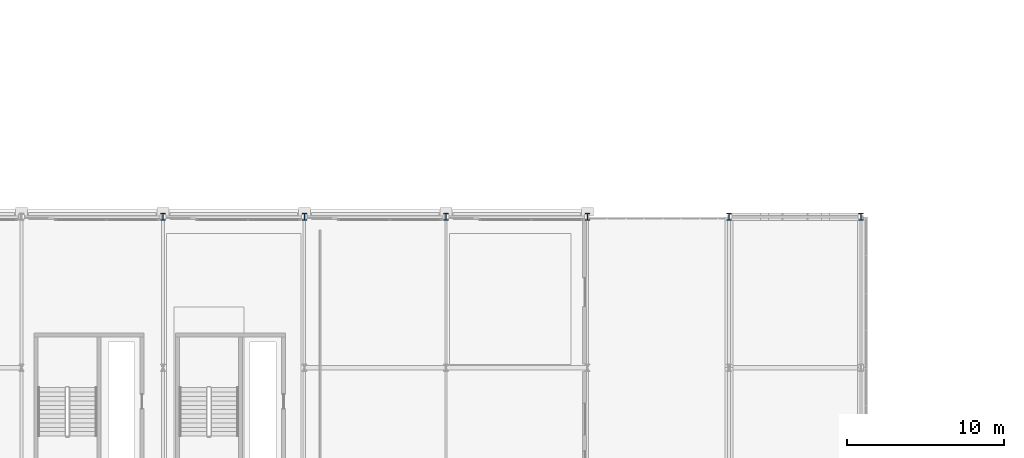
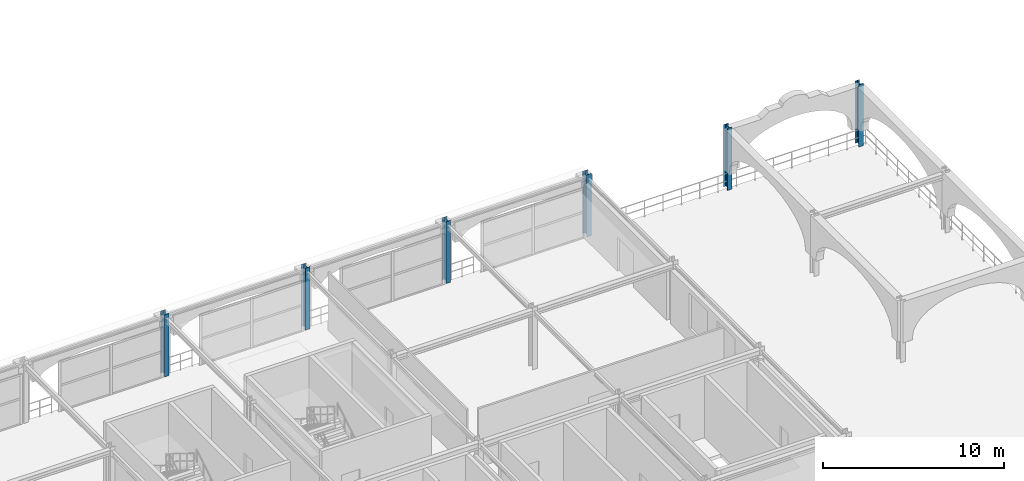
# One storey, part 11 of 81: 6 columns.
"""IFC4 building model written with IfcOpenShell, lengths in metres."""

from ifc_helpers import new_model, si_unit, direction, frame, origin, origin_2d, place, context, subcontext, project, spatial, i_section, extrude, material, material_profile, profile_set, type_object, element, save


model = new_model("IFC4")

# Units and contexts
model_context = context("Model", 3, precision=1e-05, world=origin(), true_north=direction((0.0, 1.0)))
body_context = subcontext(model_context, "Body", "Model", "MODEL_VIEW")
ifc_project = project(units=[si_unit("LENGTHUNIT", "METRE"), si_unit("AREAUNIT", "SQUARE_METRE"), si_unit("VOLUMEUNIT", "CUBIC_METRE"), si_unit("PLANEANGLEUNIT", "RADIAN"), si_unit("MASSUNIT", "GRAM", prefix="KILO")], contexts=[model_context])

# Site, building, storey
site_placement = place(None, origin())
site = spatial("IfcSite", under=ifc_project, at=site_placement, CompositionType="ELEMENT")
building_placement = place(site_placement, origin())
building = spatial("IfcBuilding", under=site, at=building_placement, Name="Myrtia Square Station", CompositionType="ELEMENT")
storey_placement = place(building_placement, frame((0.0, 0.0, 10.800048828125)))
storey = spatial("IfcBuildingStorey", under=building, at=storey_placement, Name="L02", CompositionType="ELEMENT", Elevation=10.800048828125)

# Columns
ifc_material = material(Name="Steel S355", Category="steel")
ifc_material_profile = material_profile(ifc_material, i_section(OverallWidth=0.300048828125, OverallDepth=0.43994140625, WebThickness=0.011474609375, FlangeThickness=0.02099609375, FilletRadius=0.027099609375, at=origin_2d()), Name="HEA 450")
ifc_profile_set = profile_set([ifc_material_profile], Name="Steel S355")
column_type = type_object("IfcColumnType", Name="COL-HEA450", PredefinedType="COLUMN", material=ifc_profile_set)
for number, where, z_axis, x_axis, name in (
    (1, (135.0, 38.39990234375, 0.0), (0.0, 0.0, 1.0), (1.0, 0.0, 0.0), "Column L02-0632"),
    (2, (144.0, 38.39990234375, 0.0), (0.0, 0.0, 1.0), (1.0, 0.0, 0.0), "Column L02-0657"),
    (3, (153.0, 38.39990234375, 0.0), (0.0, 0.0, 1.0), (1.0, 0.0, 0.0), "Column L02-0678"),
    (4, (162.0, 38.39990234375, 0.0), (0.0, 0.0, 1.0), (1.0, 0.0, 0.0), "Column L02-0698"),
    (5, (171.0, 38.39990234375, 0.0), (0.0, 0.0, 1.0), (1.0, 0.0, 0.0), "Column L02-0716"),
    (6, (179.39990234375, 38.39990234375, 0.0), (0.0, 0.0, 1.0), (1.0, 0.0, 0.0), "Column L02-0734"),
):
    element("IfcColumn", number, at=place(storey_placement, frame(where, z_axis=z_axis, x_axis=x_axis)), inside=storey, type_object=column_type, Name=name, PredefinedType="COLUMN", context=body_context, shape_type="SweptSolid", body=[
        extrude(i_section(OverallWidth=0.300048828125, OverallDepth=0.43994140625, WebThickness=0.011474609375, FlangeThickness=0.02099609375, FilletRadius=0.027099609375, at=origin_2d()), origin(), (0.0, 0.0, 1.0), 4.199951171875),
    ])

save(model, "model.ifc")
